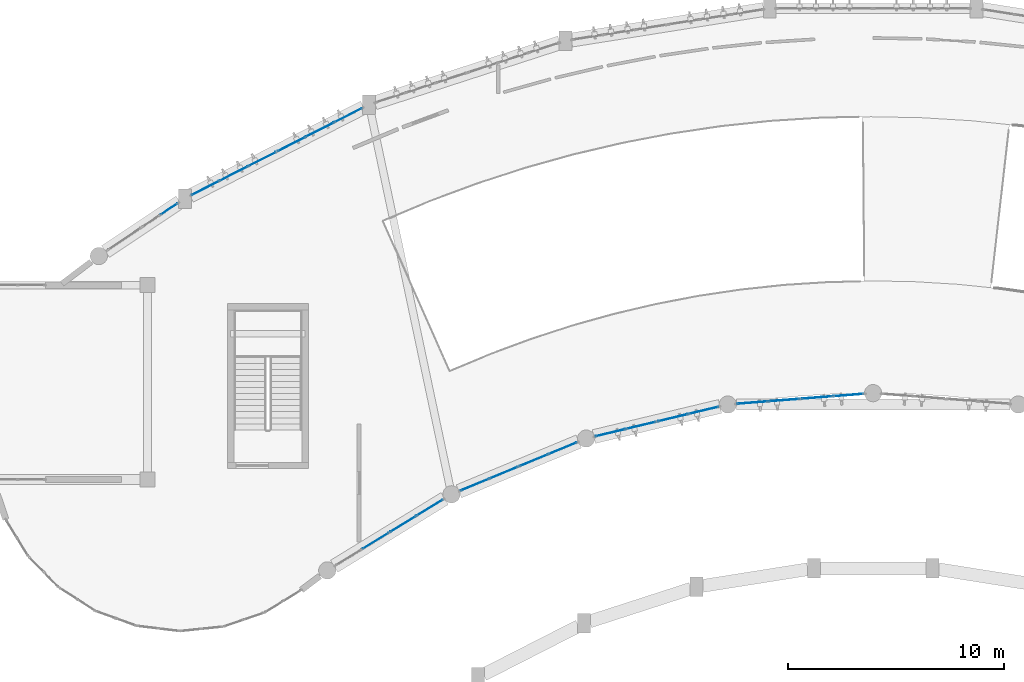
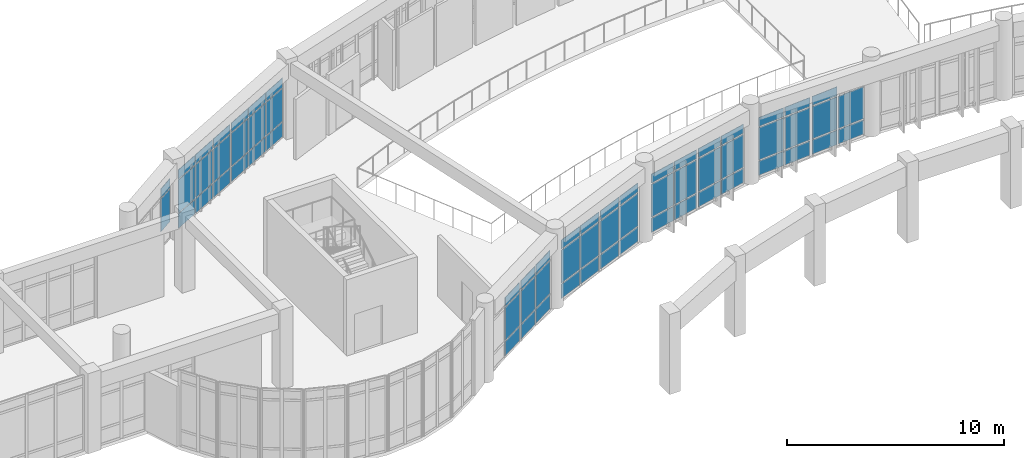
# One storey, part 34 of 57: 64 plates, 11 elements without a shape of their own.
"""IFC4 building model written with IfcOpenShell, lengths in metres."""

import ifcopenshell
import ifcopenshell.guid

model = None  # the IFC model being written
_history = None  # IfcOwnerHistory: only IFC2X3 demands one
_inside = {}  # id of a spatial element -> (the spatial element, [elements in it])
_under = {}  # id of a project, library or spatial element -> (it, [spatial elements below it])
_declared = {}  # id of a project -> (the project, [libraries it declares])
_typed = {}  # id of a type object -> (the type object, [elements of that type])
_made_of = {}  # id of a material, layer set ... -> (it, [elements and type objects made of it])


def new_model(schema):
    """Start an empty IFC model of exactly this schema.

    Asked for "IFC4X3", IfcOpenShell would pick the latest addendum, in which some entities
    have other attributes; the version numbers below select the first issue.
    IFC2X3 requires an IfcOwnerHistory on every rooted entity: one is made here for all.
    """
    global model, _history
    if schema == "IFC4X3":
        model = ifcopenshell.file(schema_version=(4, 3, 0, 0))
    else:
        model = ifcopenshell.file(schema=schema)
    _inside.clear()
    _under.clear()
    _declared.clear()
    _typed.clear()
    _made_of.clear()
    _history = None
    if model.schema == "IFC2X3":
        org = make("IfcOrganization", Name="unknown")
        user = make(
            "IfcPersonAndOrganization",
            ThePerson=make("IfcPerson", FamilyName="unknown"),
            TheOrganization=org,
        )
        app = make(
            "IfcApplication",
            ApplicationDeveloper=org,
            Version="unknown",
            ApplicationFullName="unknown",
            ApplicationIdentifier="unknown",
        )
        _history = make(
            "IfcOwnerHistory",
            OwningUser=user,
            OwningApplication=app,
            ChangeAction="ADDED",
            CreationDate=0,
        )
    return model


def make(cls, **values):
    """One entity of the class cls with the attributes given. An attribute that is None is left unset."""
    return model.create_entity(
        cls, **{name: value for name, value in values.items() if value is not None}
    )


def rooted(cls, **values):
    """An entity with a GlobalId (a new one), such as an element, a storey or a relation."""
    return make(cls, GlobalId=ifcopenshell.guid.new(), OwnerHistory=_history, **values)


def si_unit(unit_type, name, prefix=None):
    """IfcSIUnit, for example si_unit("LENGTHUNIT", "METRE", prefix="MILLI")."""
    return make("IfcSIUnit", UnitType=unit_type, Prefix=prefix, Name=name)


def assignment(units):
    """IfcUnitAssignment: the units of a project."""
    return None if units is None else make("IfcUnitAssignment", Units=units)


def point(xyz):
    """IfcCartesianPoint."""
    return None if xyz is None else make("IfcCartesianPoint", Coordinates=xyz)


def direction(xyz):
    """IfcDirection."""
    return None if xyz is None else make("IfcDirection", DirectionRatios=xyz)


def frame(location, z_axis=None, x_axis=None):
    """IfcAxis2Placement3D, a coordinate frame: its origin and axes. An axis left out is left unset."""
    return make(
        "IfcAxis2Placement3D",
        Location=point(location),
        Axis=direction(z_axis),
        RefDirection=direction(x_axis),
    )


def frame_2d(location, x_axis=None):
    """IfcAxis2Placement2D, a coordinate frame in the plane: its origin and x axis."""
    return make(
        "IfcAxis2Placement2D", Location=point(location), RefDirection=direction(x_axis)
    )


def origin():
    """The frame at (0, 0, 0) with its axes left unset."""
    return frame((0.0, 0.0, 0.0))


def origin_2d():
    """The frame at (0, 0) in the plane with its x axis left unset."""
    return frame_2d((0.0, 0.0))


def place(relative_to, where):
    """IfcLocalPlacement: puts the frame where relative to a parent placement (None: the world)."""
    return make(
        "IfcLocalPlacement", PlacementRelTo=relative_to, RelativePlacement=where
    )


def context(
    kind, dimensions, precision=None, world=None, true_north=None, identifier=None
):
    """IfcGeometricRepresentationContext, for example the 3D "Model" context."""
    return make(
        "IfcGeometricRepresentationContext",
        ContextIdentifier=identifier,
        ContextType=kind,
        CoordinateSpaceDimension=dimensions,
        Precision=precision,
        WorldCoordinateSystem=world,
        TrueNorth=true_north,
    )


def subcontext(parent, identifier, kind, view, scale=None):
    """IfcGeometricRepresentationSubContext, for example "Body" below "Model"."""
    return make(
        "IfcGeometricRepresentationSubContext",
        ContextIdentifier=identifier,
        ContextType=kind,
        ParentContext=parent,
        TargetScale=scale,
        TargetView=view,
    )


def project(units=None, contexts=None):
    """IfcProject with its units and contexts."""
    return rooted(
        "IfcProject",
        Name="project",
        RepresentationContexts=contexts,
        UnitsInContext=assignment(units),
    )


def spatial(cls, under=None, at=None, **own):
    """A site, building, storey or space (cls), placed at a placement, below another one or the project."""
    s = rooted(cls, ObjectPlacement=at, **own)
    if under is not None:
        _under.setdefault(under.id(), (under, []))[1].append(s)
    return s


def profile(cls, at=None, kind="AREA", **sizes):
    """A parametric profile (cls). Its sizes go by their IFC names, for example OverallWidth=200.0."""
    return make(cls, ProfileType=kind, Position=at, **sizes)


def rectangle(**sizes):
    """IfcRectangleProfileDef."""
    return profile("IfcRectangleProfileDef", **sizes)


def extrude(swept, where, along, depth):
    """IfcExtrudedAreaSolid: the profile swept, set in the frame where, extruded along a direction by depth."""
    return make(
        "IfcExtrudedAreaSolid",
        SweptArea=swept,
        Position=where,
        ExtrudedDirection=direction(along),
        Depth=depth,
    )


def shape(context_of_items, identifier, shape_type, items):
    """IfcShapeRepresentation: the items that make up one representation, for example the "Body"."""
    return make(
        "IfcShapeRepresentation",
        ContextOfItems=context_of_items,
        RepresentationIdentifier=identifier,
        RepresentationType=shape_type,
        Items=items,
    )


def material(Name=None, Category=None):
    """IfcMaterial."""
    return make("IfcMaterial", Name=Name, Category=Category)


def layer(
    of_material, thickness, ventilated=None, Name=None, Category=None, Priority=None
):
    """IfcMaterialLayer: one layer of a wall or slab, of a material (None: an air gap)."""
    return make(
        "IfcMaterialLayer",
        Material=of_material,
        LayerThickness=thickness,
        IsVentilated=ventilated,
        Name=Name,
        Category=Category,
        Priority=Priority,
    )


def layer_set(layers, Name=None):
    """IfcMaterialLayerSet."""
    return make("IfcMaterialLayerSet", MaterialLayers=layers, LayerSetName=Name)


def made_of(thing, what):
    """Note that an element or type object is made of a material, layer set ...; save() writes the relation."""
    if what is not None:
        _made_of.setdefault(what.id(), (what, []))[1].append(thing)
    return thing


def type_object(cls, material=None, **own):
    """A type object (cls), such as IfcWallType, which elements share."""
    return made_of(rooted(cls, **own), material)


def element(
    cls,
    number,
    at=None,
    inside=None,
    cuts=None,
    type_object=None,
    material=None,
    context=None,
    identifier="Body",
    shape_type=None,
    held_by="IfcProductDefinitionShape",
    body=None,
    shapes=None,
    **own,
):
    """One element of the class cls, such as IfcWall. Its Tag is "e" and its number.

    at: its placement. inside: the storey or other place that contains it. cuts: it is an
    opening in that element (IfcRelVoidsElement). A single representation is given by context,
    identifier, shape_type and body (its items); several are given by shapes. held_by: the class
    of the entity that holds the representations. save() writes the other relations.
    """
    e = rooted(cls, Tag="e%d" % number, ObjectPlacement=at, **own)
    if body is not None:
        shapes = [shape(context, identifier, shape_type, body)]
    if shapes is not None:
        e.Representation = make(held_by, Representations=shapes)
    if inside is not None:
        _inside.setdefault(inside.id(), (inside, []))[1].append(e)
    if cuts is not None:
        rooted(
            "IfcRelVoidsElement", RelatingBuildingElement=cuts, RelatedOpeningElement=e
        )
    if type_object is not None:
        _typed.setdefault(type_object.id(), (type_object, []))[1].append(e)
    return made_of(e, material)


def aggregate(whole, parts):
    """IfcRelAggregates: a whole, such as a stair, and the parts it consists of."""
    return rooted("IfcRelAggregates", RelatingObject=whole, RelatedObjects=parts)


def save(model, path):
    """Write the relations noted so far, then the file.

    IfcRelAggregates (storeys below a building ...), IfcRelContainedInSpatialStructure (elements
    in a storey), IfcRelDefinesByType, IfcRelAssociatesMaterial and IfcRelDeclares: one each for
    every whole, place, type object, material and project.
    """
    for whole, parts in _under.values():
        aggregate(whole, parts)
    for where, things in _inside.values():
        rooted(
            "IfcRelContainedInSpatialStructure",
            RelatedElements=things,
            RelatingStructure=where,
        )
    for kind, things in _typed.values():
        rooted("IfcRelDefinesByType", RelatedObjects=things, RelatingType=kind)
    for what, things in _made_of.values():
        rooted("IfcRelAssociatesMaterial", RelatedObjects=things, RelatingMaterial=what)
    for by, libraries in _declared.values():
        rooted("IfcRelDeclares", RelatingContext=by, RelatedDefinitions=libraries)
    model.write(path)


model = new_model("IFC4")

# Units and contexts
model_context = context("Model", 3, precision=1e-05, world=origin(), true_north=direction((0.0, 1.0)))
body_context = subcontext(model_context, "Body", "Model", "MODEL_VIEW")
ifc_project = project(units=[si_unit("LENGTHUNIT", "METRE"), si_unit("AREAUNIT", "SQUARE_METRE"), si_unit("VOLUMEUNIT", "CUBIC_METRE"), si_unit("PLANEANGLEUNIT", "RADIAN"), si_unit("MASSUNIT", "GRAM", prefix="KILO")], contexts=[model_context])

# Site, building, storey
site_placement = place(None, origin())
site = spatial("IfcSite", under=ifc_project, at=site_placement, CompositionType="ELEMENT")
building_placement = place(site_placement, origin())
building = spatial("IfcBuilding", under=site, at=building_placement, Name="Miralva Faculty of Natural Sciences", CompositionType="ELEMENT")
storey_placement = place(building_placement, frame((0.0, 0.0, 15.0)))
storey = spatial("IfcBuildingStorey", under=building, at=storey_placement, Name="L03", CompositionType="ELEMENT", Elevation=15.0)

# Curtain wall, plates
ifc_material = material(Name="Laminated solar-control glass", Category="glass")
ifc_layer_1 = layer(ifc_material, 0.179931640625, Name="CW-ARC-L03")
ifc_layer_set_1 = layer_set([ifc_layer_1], Name="Laminated solar-control glass")
curtain_wall_type = type_object("IfcCurtainWallType", Name="CW-ARC-L03", PredefinedType="USERDEFINED", material=ifc_layer_set_1)
curtain_wall_1_placement = place(storey_placement, origin())
curtain_wall_1 = element("IfcCurtainWall", 1, at=curtain_wall_1_placement, inside=storey, type_object=curtain_wall_type, Name="Curtain wall CW-03 L03-109", ObjectType="UNITISED CURTAIN WALL", PredefinedType="USERDEFINED")
ifc_layer_2 = layer(ifc_material, 0.028076171875, Name="PNL-P01")
ifc_layer_set_2 = layer_set([ifc_layer_2], Name="Laminated solar-control glass")
plate_type = type_object("IfcPlateType", Name="PNL-P01", PredefinedType="CURTAIN_PANEL", material=ifc_layer_set_2)
plate_1_placement = place(storey_placement, frame((66.95947265625, 15.15673828125, 0.06494140625), z_axis=(0.0, 0.0, 1.0), x_axis=(0.852640729642, 0.522497642249, 0.0)))
plate_1 = element("IfcPlate", 2, at=plate_1_placement, type_object=plate_type, Name="CW-03 panel 2.1", PredefinedType="CURTAIN_PANEL", context=body_context, shape_type="SweptSolid", body=[
    extrude(rectangle(XDim=1.376953125, YDim=0.028076171875, at=origin_2d()), origin(), (0.0, 0.0, 1.0), 0.802490234375),
])
plate_2_placement = place(storey_placement, frame((66.95947265625, 15.15673828125, 0.9326171875), z_axis=(0.0, 0.0, 1.0), x_axis=(0.852640729642, 0.522497642249, 0.0)))
plate_2 = element("IfcPlate", 3, at=plate_2_placement, type_object=plate_type, Name="CW-03 panel 2.2", PredefinedType="CURTAIN_PANEL", context=body_context, shape_type="SweptSolid", body=[
    extrude(rectangle(XDim=1.376953125, YDim=0.028076171875, at=origin_2d()), origin(), (0.0, 0.0, 1.0), 1.840087890625),
])
plate_3_placement = place(storey_placement, frame((66.95947265625, 15.15673828125, 2.837646484375), z_axis=(0.0, 0.0, 1.0), x_axis=(0.852640729642, 0.522497642249, 0.0)))
plate_3 = element("IfcPlate", 4, at=plate_3_placement, type_object=plate_type, Name="CW-03 panel 2.3", PredefinedType="CURTAIN_PANEL", context=body_context, shape_type="SweptSolid", body=[
    extrude(rectangle(XDim=1.376953125, YDim=0.028076171875, at=origin_2d()), origin(), (0.0, 0.0, 1.0), 0.50244140625),
])
aggregate(curtain_wall_1, [plate_1, plate_2, plate_3])

curtain_wall_2_placement = place(storey_placement, origin())
curtain_wall_2 = element("IfcCurtainWall", 5, at=curtain_wall_2_placement, inside=storey, type_object=curtain_wall_type, Name="Curtain wall CW-03 L03-110", ObjectType="UNITISED CURTAIN WALL", PredefinedType="USERDEFINED")
plate_4_placement = place(storey_placement, frame((68.240966796875, 15.942138671875, 0.06494140625), z_axis=(0.0, 0.0, 1.0), x_axis=(0.852655256018, 0.522473936561, 0.0)))
plate_4 = element("IfcPlate", 6, at=plate_4_placement, type_object=plate_type, Name="CW-03 panel 1.1", PredefinedType="CURTAIN_PANEL", context=body_context, shape_type="SweptSolid", body=[
    extrude(rectangle(XDim=1.37939453125, YDim=0.028076171875, at=origin_2d()), origin(), (0.0, 0.0, 1.0), 0.802490234375),
])
plate_5_placement = place(storey_placement, frame((68.240966796875, 15.942138671875, 0.9326171875), z_axis=(0.0, 0.0, 1.0), x_axis=(0.852655256018, 0.522473936561, 0.0)))
plate_5 = element("IfcPlate", 7, at=plate_5_placement, type_object=plate_type, Name="CW-03 panel 1.2", PredefinedType="CURTAIN_PANEL", context=body_context, shape_type="SweptSolid", body=[
    extrude(rectangle(XDim=1.37939453125, YDim=0.028076171875, at=origin_2d()), origin(), (0.0, 0.0, 1.0), 1.840087890625),
])
plate_6_placement = place(storey_placement, frame((68.240966796875, 15.942138671875, 2.837646484375), z_axis=(0.0, 0.0, 1.0), x_axis=(0.852655256018, 0.522473936561, 0.0)))
plate_6 = element("IfcPlate", 8, at=plate_6_placement, type_object=plate_type, Name="CW-03 panel 1.3", PredefinedType="CURTAIN_PANEL", context=body_context, shape_type="SweptSolid", body=[
    extrude(rectangle(XDim=1.37939453125, YDim=0.028076171875, at=origin_2d()), origin(), (0.0, 0.0, 1.0), 0.50244140625),
])
plate_7_placement = place(storey_placement, frame((69.47265625, 16.69677734375, 0.06494140625), z_axis=(0.0, 0.0, 1.0), x_axis=(0.852655256018, 0.522473936561, 0.0)))
plate_7 = element("IfcPlate", 9, at=plate_7_placement, type_object=plate_type, Name="CW-03 panel 2.1", PredefinedType="CURTAIN_PANEL", context=body_context, shape_type="SweptSolid", body=[
    extrude(rectangle(XDim=1.37939453125, YDim=0.028076171875, at=origin_2d()), origin(), (0.0, 0.0, 1.0), 0.802490234375),
])
plate_8_placement = place(storey_placement, frame((69.47265625, 16.69677734375, 0.9326171875), z_axis=(0.0, 0.0, 1.0), x_axis=(0.852655256018, 0.522473936561, 0.0)))
plate_8 = element("IfcPlate", 10, at=plate_8_placement, type_object=plate_type, Name="CW-03 panel 2.2", PredefinedType="CURTAIN_PANEL", context=body_context, shape_type="SweptSolid", body=[
    extrude(rectangle(XDim=1.37939453125, YDim=0.028076171875, at=origin_2d()), origin(), (0.0, 0.0, 1.0), 1.840087890625),
])
plate_9_placement = place(storey_placement, frame((69.47265625, 16.69677734375, 2.837646484375), z_axis=(0.0, 0.0, 1.0), x_axis=(0.852655256018, 0.522473936561, 0.0)))
plate_9 = element("IfcPlate", 11, at=plate_9_placement, type_object=plate_type, Name="CW-03 panel 2.3", PredefinedType="CURTAIN_PANEL", context=body_context, shape_type="SweptSolid", body=[
    extrude(rectangle(XDim=1.37939453125, YDim=0.028076171875, at=origin_2d()), origin(), (0.0, 0.0, 1.0), 0.50244140625),
])
aggregate(curtain_wall_2, [plate_4, plate_5, plate_6, plate_7, plate_8, plate_9])

curtain_wall_3_placement = place(storey_placement, origin())
curtain_wall_3 = element("IfcCurtainWall", 12, at=curtain_wall_3_placement, inside=storey, type_object=curtain_wall_type, Name="Curtain wall CW-03 L03-111", ObjectType="UNITISED CURTAIN WALL", PredefinedType="USERDEFINED")
plate_10_placement = place(storey_placement, frame((71.560302734375, 17.761474609375, 0.06494140625), z_axis=(0.0, 0.0, 1.0), x_axis=(0.923873889004, 0.382697056713, 0.0)))
plate_10 = element("IfcPlate", 13, at=plate_10_placement, type_object=plate_type, Name="CW-03 panel 1.1", PredefinedType="CURTAIN_PANEL", context=body_context, shape_type="SweptSolid", body=[
    extrude(rectangle(XDim=1.3818359375, YDim=0.028076171875, at=origin_2d()), origin(), (0.0, 0.0, 1.0), 0.802490234375),
])
plate_11_placement = place(storey_placement, frame((71.560302734375, 17.761474609375, 0.9326171875), z_axis=(0.0, 0.0, 1.0), x_axis=(0.923873889004, 0.382697056713, 0.0)))
plate_11 = element("IfcPlate", 14, at=plate_11_placement, type_object=plate_type, Name="CW-03 panel 1.2", PredefinedType="CURTAIN_PANEL", context=body_context, shape_type="SweptSolid", body=[
    extrude(rectangle(XDim=1.3818359375, YDim=0.028076171875, at=origin_2d()), origin(), (0.0, 0.0, 1.0), 1.840087890625),
])
plate_12_placement = place(storey_placement, frame((71.560302734375, 17.761474609375, 2.837646484375), z_axis=(0.0, 0.0, 1.0), x_axis=(0.923873889004, 0.382697056713, 0.0)))
plate_12 = element("IfcPlate", 15, at=plate_12_placement, type_object=plate_type, Name="CW-03 panel 1.3", PredefinedType="CURTAIN_PANEL", context=body_context, shape_type="SweptSolid", body=[
    extrude(rectangle(XDim=1.3818359375, YDim=0.028076171875, at=origin_2d()), origin(), (0.0, 0.0, 1.0), 0.50244140625),
])
plate_13_placement = place(storey_placement, frame((72.89697265625, 18.315185546875, 0.06494140625), z_axis=(0.0, 0.0, 1.0), x_axis=(0.923873889004, 0.382697056713, 0.0)))
plate_13 = element("IfcPlate", 16, at=plate_13_placement, type_object=plate_type, Name="CW-03 panel 2.1", PredefinedType="CURTAIN_PANEL", context=body_context, shape_type="SweptSolid", body=[
    extrude(rectangle(XDim=1.3818359375, YDim=0.028076171875, at=origin_2d()), origin(), (0.0, 0.0, 1.0), 0.802490234375),
])
plate_14_placement = place(storey_placement, frame((72.89697265625, 18.315185546875, 0.9326171875), z_axis=(0.0, 0.0, 1.0), x_axis=(0.923873889004, 0.382697056713, 0.0)))
plate_14 = element("IfcPlate", 17, at=plate_14_placement, type_object=plate_type, Name="CW-03 panel 2.2", PredefinedType="CURTAIN_PANEL", context=body_context, shape_type="SweptSolid", body=[
    extrude(rectangle(XDim=1.3818359375, YDim=0.028076171875, at=origin_2d()), origin(), (0.0, 0.0, 1.0), 1.840087890625),
])
plate_15_placement = place(storey_placement, frame((72.89697265625, 18.315185546875, 2.837646484375), z_axis=(0.0, 0.0, 1.0), x_axis=(0.923873889004, 0.382697056713, 0.0)))
plate_15 = element("IfcPlate", 18, at=plate_15_placement, type_object=plate_type, Name="CW-03 panel 2.3", PredefinedType="CURTAIN_PANEL", context=body_context, shape_type="SweptSolid", body=[
    extrude(rectangle(XDim=1.3818359375, YDim=0.028076171875, at=origin_2d()), origin(), (0.0, 0.0, 1.0), 0.50244140625),
])
aggregate(curtain_wall_3, [plate_10, plate_11, plate_12, plate_13, plate_14, plate_15])

curtain_wall_4_placement = place(storey_placement, origin())
curtain_wall_4 = element("IfcCurtainWall", 19, at=curtain_wall_4_placement, inside=storey, type_object=curtain_wall_type, Name="Curtain wall CW-03 L03-112", ObjectType="UNITISED CURTAIN WALL", PredefinedType="USERDEFINED")
plate_16_placement = place(storey_placement, frame((74.290283203125, 18.892333984375, 0.06494140625), z_axis=(0.0, 0.0, 1.0), x_axis=(0.923891410727, 0.382654754557, 0.0)))
plate_16 = element("IfcPlate", 20, at=plate_16_placement, type_object=plate_type, Name="CW-03 panel 1.1", PredefinedType="CURTAIN_PANEL", context=body_context, shape_type="SweptSolid", body=[
    extrude(rectangle(XDim=1.38427734375, YDim=0.028076171875, at=origin_2d()), origin(), (0.0, 0.0, 1.0), 0.802490234375),
])
plate_17_placement = place(storey_placement, frame((74.290283203125, 18.892333984375, 0.9326171875), z_axis=(0.0, 0.0, 1.0), x_axis=(0.923891410727, 0.382654754557, 0.0)))
plate_17 = element("IfcPlate", 21, at=plate_17_placement, type_object=plate_type, Name="CW-03 panel 1.2", PredefinedType="CURTAIN_PANEL", context=body_context, shape_type="SweptSolid", body=[
    extrude(rectangle(XDim=1.38427734375, YDim=0.028076171875, at=origin_2d()), origin(), (0.0, 0.0, 1.0), 1.840087890625),
])
plate_18_placement = place(storey_placement, frame((74.290283203125, 18.892333984375, 2.837646484375), z_axis=(0.0, 0.0, 1.0), x_axis=(0.923891410727, 0.382654754557, 0.0)))
plate_18 = element("IfcPlate", 22, at=plate_18_placement, type_object=plate_type, Name="CW-03 panel 1.3", PredefinedType="CURTAIN_PANEL", context=body_context, shape_type="SweptSolid", body=[
    extrude(rectangle(XDim=1.38427734375, YDim=0.028076171875, at=origin_2d()), origin(), (0.0, 0.0, 1.0), 0.50244140625),
])
plate_19_placement = place(storey_placement, frame((75.62939453125, 19.44677734375, 0.06494140625), z_axis=(0.0, 0.0, 1.0), x_axis=(0.923891410727, 0.382654754557, 0.0)))
plate_19 = element("IfcPlate", 23, at=plate_19_placement, type_object=plate_type, Name="CW-03 panel 2.1", PredefinedType="CURTAIN_PANEL", context=body_context, shape_type="SweptSolid", body=[
    extrude(rectangle(XDim=1.38427734375, YDim=0.028076171875, at=origin_2d()), origin(), (0.0, 0.0, 1.0), 0.802490234375),
])
plate_20_placement = place(storey_placement, frame((75.62939453125, 19.44677734375, 0.9326171875), z_axis=(0.0, 0.0, 1.0), x_axis=(0.923891410727, 0.382654754557, 0.0)))
plate_20 = element("IfcPlate", 24, at=plate_20_placement, type_object=plate_type, Name="CW-03 panel 2.2", PredefinedType="CURTAIN_PANEL", context=body_context, shape_type="SweptSolid", body=[
    extrude(rectangle(XDim=1.38427734375, YDim=0.028076171875, at=origin_2d()), origin(), (0.0, 0.0, 1.0), 1.840087890625),
])
plate_21_placement = place(storey_placement, frame((75.62939453125, 19.44677734375, 2.837646484375), z_axis=(0.0, 0.0, 1.0), x_axis=(0.923891410727, 0.382654754557, 0.0)))
plate_21 = element("IfcPlate", 25, at=plate_21_placement, type_object=plate_type, Name="CW-03 panel 2.3", PredefinedType="CURTAIN_PANEL", context=body_context, shape_type="SweptSolid", body=[
    extrude(rectangle(XDim=1.38427734375, YDim=0.028076171875, at=origin_2d()), origin(), (0.0, 0.0, 1.0), 0.50244140625),
])
aggregate(curtain_wall_4, [plate_16, plate_17, plate_18, plate_19, plate_20, plate_21])

curtain_wall_5_placement = place(storey_placement, origin())
curtain_wall_5 = element("IfcCurtainWall", 26, at=curtain_wall_5_placement, inside=storey, type_object=curtain_wall_type, Name="Curtain wall CW-03 L03-113", ObjectType="UNITISED CURTAIN WALL", PredefinedType="USERDEFINED")
plate_22_placement = place(storey_placement, frame((77.836181640625, 20.165283203125, 0.06494140625), z_axis=(0.0, 0.0, 1.0), x_axis=(0.972367185898, 0.233456753574, 0.0)))
plate_22 = element("IfcPlate", 27, at=plate_22_placement, type_object=plate_type, Name="CW-03 panel 1.1", PredefinedType="CURTAIN_PANEL", context=body_context, shape_type="SweptSolid", body=[
    extrude(rectangle(XDim=1.391845703125, YDim=0.028076171875, at=origin_2d()), origin(), (0.0, 0.0, 1.0), 0.802490234375),
])
plate_23_placement = place(storey_placement, frame((77.836181640625, 20.165283203125, 0.9326171875), z_axis=(0.0, 0.0, 1.0), x_axis=(0.972367185898, 0.233456753574, 0.0)))
plate_23 = element("IfcPlate", 28, at=plate_23_placement, type_object=plate_type, Name="CW-03 panel 1.2", PredefinedType="CURTAIN_PANEL", context=body_context, shape_type="SweptSolid", body=[
    extrude(rectangle(XDim=1.391845703125, YDim=0.028076171875, at=origin_2d()), origin(), (0.0, 0.0, 1.0), 1.840087890625),
])
plate_24_placement = place(storey_placement, frame((77.836181640625, 20.165283203125, 2.837646484375), z_axis=(0.0, 0.0, 1.0), x_axis=(0.972367185898, 0.233456753574, 0.0)))
plate_24 = element("IfcPlate", 29, at=plate_24_placement, type_object=plate_type, Name="CW-03 panel 1.3", PredefinedType="CURTAIN_PANEL", context=body_context, shape_type="SweptSolid", body=[
    extrude(rectangle(XDim=1.391845703125, YDim=0.028076171875, at=origin_2d()), origin(), (0.0, 0.0, 1.0), 0.50244140625),
])
plate_25_placement = place(storey_placement, frame((79.2529296875, 20.50537109375, 0.06494140625), z_axis=(0.0, 0.0, 1.0), x_axis=(0.972367185898, 0.233456753574, 0.0)))
plate_25 = element("IfcPlate", 30, at=plate_25_placement, type_object=plate_type, Name="CW-03 panel 2.1", PredefinedType="CURTAIN_PANEL", context=body_context, shape_type="SweptSolid", body=[
    extrude(rectangle(XDim=1.391845703125, YDim=0.028076171875, at=origin_2d()), origin(), (0.0, 0.0, 1.0), 0.802490234375),
])
plate_26_placement = place(storey_placement, frame((79.2529296875, 20.50537109375, 0.9326171875), z_axis=(0.0, 0.0, 1.0), x_axis=(0.972367185898, 0.233456753574, 0.0)))
plate_26 = element("IfcPlate", 31, at=plate_26_placement, type_object=plate_type, Name="CW-03 panel 2.2", PredefinedType="CURTAIN_PANEL", context=body_context, shape_type="SweptSolid", body=[
    extrude(rectangle(XDim=1.391845703125, YDim=0.028076171875, at=origin_2d()), origin(), (0.0, 0.0, 1.0), 1.840087890625),
])
plate_27_placement = place(storey_placement, frame((79.2529296875, 20.50537109375, 2.837646484375), z_axis=(0.0, 0.0, 1.0), x_axis=(0.972367185898, 0.233456753574, 0.0)))
plate_27 = element("IfcPlate", 32, at=plate_27_placement, type_object=plate_type, Name="CW-03 panel 2.3", PredefinedType="CURTAIN_PANEL", context=body_context, shape_type="SweptSolid", body=[
    extrude(rectangle(XDim=1.391845703125, YDim=0.028076171875, at=origin_2d()), origin(), (0.0, 0.0, 1.0), 0.50244140625),
])
aggregate(curtain_wall_5, [plate_22, plate_23, plate_24, plate_25, plate_26, plate_27])

curtain_wall_6_placement = place(storey_placement, origin())
curtain_wall_6 = element("IfcCurtainWall", 33, at=curtain_wall_6_placement, inside=storey, type_object=curtain_wall_type, Name="Curtain wall CW-03 L03-114", ObjectType="UNITISED CURTAIN WALL", PredefinedType="USERDEFINED")
plate_28_placement = place(storey_placement, frame((80.72900390625, 20.85986328125, 0.06494140625), z_axis=(0.0, 0.0, 1.0), x_axis=(0.972365393914, 0.233464217213, 0.0)))
plate_28 = element("IfcPlate", 34, at=plate_28_placement, type_object=plate_type, Name="CW-03 panel 1.1", PredefinedType="CURTAIN_PANEL", context=body_context, shape_type="SweptSolid", body=[
    extrude(rectangle(XDim=1.394287109375, YDim=0.028076171875, at=origin_2d()), origin(), (0.0, 0.0, 1.0), 0.802490234375),
])
plate_29_placement = place(storey_placement, frame((80.72900390625, 20.85986328125, 0.9326171875), z_axis=(0.0, 0.0, 1.0), x_axis=(0.972365393914, 0.233464217213, 0.0)))
plate_29 = element("IfcPlate", 35, at=plate_29_placement, type_object=plate_type, Name="CW-03 panel 1.2", PredefinedType="CURTAIN_PANEL", context=body_context, shape_type="SweptSolid", body=[
    extrude(rectangle(XDim=1.394287109375, YDim=0.028076171875, at=origin_2d()), origin(), (0.0, 0.0, 1.0), 1.840087890625),
])
plate_30_placement = place(storey_placement, frame((80.72900390625, 20.85986328125, 2.837646484375), z_axis=(0.0, 0.0, 1.0), x_axis=(0.972365393914, 0.233464217213, 0.0)))
plate_30 = element("IfcPlate", 36, at=plate_30_placement, type_object=plate_type, Name="CW-03 panel 1.3", PredefinedType="CURTAIN_PANEL", context=body_context, shape_type="SweptSolid", body=[
    extrude(rectangle(XDim=1.394287109375, YDim=0.028076171875, at=origin_2d()), origin(), (0.0, 0.0, 1.0), 0.50244140625),
])
plate_31_placement = place(storey_placement, frame((82.148193359375, 21.200439453125, 0.06494140625), z_axis=(0.0, 0.0, 1.0), x_axis=(0.972365393914, 0.233464217213, 0.0)))
plate_31 = element("IfcPlate", 37, at=plate_31_placement, type_object=plate_type, Name="CW-03 panel 2.1", PredefinedType="CURTAIN_PANEL", context=body_context, shape_type="SweptSolid", body=[
    extrude(rectangle(XDim=1.394287109375, YDim=0.028076171875, at=origin_2d()), origin(), (0.0, 0.0, 1.0), 0.802490234375),
])
plate_32_placement = place(storey_placement, frame((82.148193359375, 21.200439453125, 0.9326171875), z_axis=(0.0, 0.0, 1.0), x_axis=(0.972365393914, 0.233464217213, 0.0)))
plate_32 = element("IfcPlate", 38, at=plate_32_placement, type_object=plate_type, Name="CW-03 panel 2.2", PredefinedType="CURTAIN_PANEL", context=body_context, shape_type="SweptSolid", body=[
    extrude(rectangle(XDim=1.394287109375, YDim=0.028076171875, at=origin_2d()), origin(), (0.0, 0.0, 1.0), 1.840087890625),
])
plate_33_placement = place(storey_placement, frame((82.148193359375, 21.200439453125, 2.837646484375), z_axis=(0.0, 0.0, 1.0), x_axis=(0.972365393914, 0.233464217213, 0.0)))
plate_33 = element("IfcPlate", 39, at=plate_33_placement, type_object=plate_type, Name="CW-03 panel 2.3", PredefinedType="CURTAIN_PANEL", context=body_context, shape_type="SweptSolid", body=[
    extrude(rectangle(XDim=1.394287109375, YDim=0.028076171875, at=origin_2d()), origin(), (0.0, 0.0, 1.0), 0.50244140625),
])
aggregate(curtain_wall_6, [plate_28, plate_29, plate_30, plate_31, plate_32, plate_33])

curtain_wall_7_placement = place(storey_placement, origin())
curtain_wall_7 = element("IfcCurtainWall", 40, at=curtain_wall_7_placement, inside=storey, type_object=curtain_wall_type, Name="Curtain wall CW-03 L03-115", ObjectType="UNITISED CURTAIN WALL", PredefinedType="USERDEFINED")
plate_34_placement = place(storey_placement, frame((84.418212890625, 21.560791015625, 0.06494140625), z_axis=(0.0, 0.0, 1.0), x_axis=(0.996917323414, 0.07845922685, 0.0)))
plate_34 = element("IfcPlate", 41, at=plate_34_placement, type_object=plate_type, Name="CW-03 panel 1.1", PredefinedType="CURTAIN_PANEL", context=body_context, shape_type="SweptSolid", body=[
    extrude(rectangle(XDim=1.39697265625, YDim=0.028076171875, at=origin_2d()), origin(), (0.0, 0.0, 1.0), 0.802490234375),
])
plate_35_placement = place(storey_placement, frame((84.418212890625, 21.560791015625, 0.932373046875), z_axis=(0.0, 0.0, 1.0), x_axis=(0.996917323414, 0.07845922685, 0.0)))
plate_35 = element("IfcPlate", 42, at=plate_35_placement, type_object=plate_type, Name="CW-03 panel 1.2", PredefinedType="CURTAIN_PANEL", context=body_context, shape_type="SweptSolid", body=[
    extrude(rectangle(XDim=1.39697265625, YDim=0.028076171875, at=origin_2d()), origin(), (0.0, 0.0, 1.0), 1.81005859375),
])
plate_36_placement = place(storey_placement, frame((84.418212890625, 21.560791015625, 2.8076171875), z_axis=(0.0, 0.0, 1.0), x_axis=(0.996917323414, 0.07845922685, 0.0)))
plate_36 = element("IfcPlate", 43, at=plate_36_placement, type_object=plate_type, Name="CW-03 panel 1.3", PredefinedType="CURTAIN_PANEL", context=body_context, shape_type="SweptSolid", body=[
    extrude(rectangle(XDim=1.39697265625, YDim=0.028076171875, at=origin_2d()), origin(), (0.0, 0.0, 1.0), 0.50244140625),
])
plate_37_placement = place(storey_placement, frame((85.87548828125, 21.67529296875, 0.06494140625), z_axis=(0.0, 0.0, 1.0), x_axis=(0.996917323414, 0.07845922685, 0.0)))
plate_37 = element("IfcPlate", 44, at=plate_37_placement, type_object=plate_type, Name="CW-03 panel 2.1", PredefinedType="CURTAIN_PANEL", context=body_context, shape_type="SweptSolid", body=[
    extrude(rectangle(XDim=1.39697265625, YDim=0.028076171875, at=origin_2d()), origin(), (0.0, 0.0, 1.0), 0.802490234375),
])
plate_38_placement = place(storey_placement, frame((85.87548828125, 21.67529296875, 0.932373046875), z_axis=(0.0, 0.0, 1.0), x_axis=(0.996917323414, 0.07845922685, 0.0)))
plate_38 = element("IfcPlate", 45, at=plate_38_placement, type_object=plate_type, Name="CW-03 panel 2.2", PredefinedType="CURTAIN_PANEL", context=body_context, shape_type="SweptSolid", body=[
    extrude(rectangle(XDim=1.39697265625, YDim=0.028076171875, at=origin_2d()), origin(), (0.0, 0.0, 1.0), 1.81005859375),
])
plate_39_placement = place(storey_placement, frame((85.87548828125, 21.67529296875, 2.8076171875), z_axis=(0.0, 0.0, 1.0), x_axis=(0.996917323414, 0.07845922685, 0.0)))
plate_39 = element("IfcPlate", 46, at=plate_39_placement, type_object=plate_type, Name="CW-03 panel 2.3", PredefinedType="CURTAIN_PANEL", context=body_context, shape_type="SweptSolid", body=[
    extrude(rectangle(XDim=1.39697265625, YDim=0.028076171875, at=origin_2d()), origin(), (0.0, 0.0, 1.0), 0.50244140625),
])
aggregate(curtain_wall_7, [plate_34, plate_35, plate_36, plate_37, plate_38, plate_39])

curtain_wall_8_placement = place(storey_placement, origin())
curtain_wall_8 = element("IfcCurtainWall", 47, at=curtain_wall_8_placement, inside=storey, type_object=curtain_wall_type, Name="Curtain wall CW-03 L03-116", ObjectType="UNITISED CURTAIN WALL", PredefinedType="USERDEFINED")
plate_40_placement = place(storey_placement, frame((87.39404296875, 21.794921875, 0.06494140625), z_axis=(0.0, 0.0, 1.0), x_axis=(0.996916948192, 0.078463994344, 0.0)))
plate_40 = element("IfcPlate", 48, at=plate_40_placement, type_object=plate_type, Name="CW-03 panel 1.1", PredefinedType="CURTAIN_PANEL", context=body_context, shape_type="SweptSolid", body=[
    extrude(rectangle(XDim=1.3994140625, YDim=0.028076171875, at=origin_2d()), origin(), (0.0, 0.0, 1.0), 0.802490234375),
])
plate_41_placement = place(storey_placement, frame((87.39404296875, 21.794921875, 0.932373046875), z_axis=(0.0, 0.0, 1.0), x_axis=(0.996916948192, 0.078463994344, 0.0)))
plate_41 = element("IfcPlate", 49, at=plate_41_placement, type_object=plate_type, Name="CW-03 panel 1.2", PredefinedType="CURTAIN_PANEL", context=body_context, shape_type="SweptSolid", body=[
    extrude(rectangle(XDim=1.3994140625, YDim=0.028076171875, at=origin_2d()), origin(), (0.0, 0.0, 1.0), 1.81005859375),
])
plate_42_placement = place(storey_placement, frame((87.39404296875, 21.794921875, 2.8076171875), z_axis=(0.0, 0.0, 1.0), x_axis=(0.996916948192, 0.078463994344, 0.0)))
plate_42 = element("IfcPlate", 50, at=plate_42_placement, type_object=plate_type, Name="CW-03 panel 1.3", PredefinedType="CURTAIN_PANEL", context=body_context, shape_type="SweptSolid", body=[
    extrude(rectangle(XDim=1.3994140625, YDim=0.028076171875, at=origin_2d()), origin(), (0.0, 0.0, 1.0), 0.50244140625),
])
plate_43_placement = place(storey_placement, frame((88.853759765625, 21.909912109375, 0.06494140625), z_axis=(0.0, 0.0, 1.0), x_axis=(0.996916948192, 0.078463994344, 0.0)))
plate_43 = element("IfcPlate", 51, at=plate_43_placement, type_object=plate_type, Name="CW-03 panel 2.1", PredefinedType="CURTAIN_PANEL", context=body_context, shape_type="SweptSolid", body=[
    extrude(rectangle(XDim=1.3994140625, YDim=0.028076171875, at=origin_2d()), origin(), (0.0, 0.0, 1.0), 0.802490234375),
])
plate_44_placement = place(storey_placement, frame((88.853759765625, 21.909912109375, 0.932373046875), z_axis=(0.0, 0.0, 1.0), x_axis=(0.996916948192, 0.078463994344, 0.0)))
plate_44 = element("IfcPlate", 52, at=plate_44_placement, type_object=plate_type, Name="CW-03 panel 2.2", PredefinedType="CURTAIN_PANEL", context=body_context, shape_type="SweptSolid", body=[
    extrude(rectangle(XDim=1.3994140625, YDim=0.028076171875, at=origin_2d()), origin(), (0.0, 0.0, 1.0), 1.81005859375),
])
aggregate(curtain_wall_8, [plate_40, plate_41, plate_42, plate_43, plate_44])

curtain_wall_9_placement = place(storey_placement, origin())
curtain_wall_9 = element("IfcCurtainWall", 53, at=curtain_wall_9_placement, inside=storey, type_object=curtain_wall_type, Name="Curtain wall CW-03 L03-126", ObjectType="UNITISED CURTAIN WALL", PredefinedType="USERDEFINED")
plate_45_placement = place(storey_placement, frame((57.400146484375, 30.52490234375, 0.93017578125), z_axis=(0.0, 0.0, 1.0), x_axis=(0.831458377074, 0.55558704736, 0.0)))
plate_45 = element("IfcPlate", 54, at=plate_45_placement, type_object=plate_type, Name="CW-03 panel 2.2", PredefinedType="CURTAIN_PANEL", context=body_context, shape_type="SweptSolid", body=[
    extrude(rectangle(XDim=0.929931640625, YDim=0.028076171875, at=origin_2d()), origin(), (0.0, 0.0, 1.0), 1.844970703125),
])
plate_46_placement = place(storey_placement, frame((57.400146484375, 30.52490234375, 2.8349609375), z_axis=(0.0, 0.0, 1.0), x_axis=(0.831458377074, 0.55558704736, 0.0)))
plate_46 = element("IfcPlate", 55, at=plate_46_placement, type_object=plate_type, Name="CW-03 panel 2.3", PredefinedType="CURTAIN_PANEL", context=body_context, shape_type="SweptSolid", body=[
    extrude(rectangle(XDim=0.929931640625, YDim=0.028076171875, at=origin_2d()), origin(), (0.0, 0.0, 1.0), 0.510009765625),
])
aggregate(curtain_wall_9, [plate_45, plate_46])

curtain_wall_10_placement = place(storey_placement, origin())
curtain_wall_10 = element("IfcCurtainWall", 56, at=curtain_wall_10_placement, inside=storey, type_object=curtain_wall_type, Name="Curtain wall CW-03 L03-127", ObjectType="UNITISED CURTAIN WALL", PredefinedType="USERDEFINED")
plate_47_placement = place(storey_placement, frame((59.086669921875, 31.499755859375, 0.06005859375), z_axis=(0.0, 0.0, 1.0), x_axis=(0.89100160052, 0.454000162854, 0.0)))
plate_47 = element("IfcPlate", 57, at=plate_47_placement, type_object=plate_type, Name="CW-03 panel 1.1", PredefinedType="CURTAIN_PANEL", context=body_context, shape_type="SweptSolid", body=[
    extrude(rectangle(XDim=1.392822265625, YDim=0.028076171875, at=origin_2d()), origin(), (0.0, 0.0, 1.0), 0.81005859375),
])
plate_48_placement = place(storey_placement, frame((59.086669921875, 31.499755859375, 0.93017578125), z_axis=(0.0, 0.0, 1.0), x_axis=(0.89100160052, 0.454000162854, 0.0)))
plate_48 = element("IfcPlate", 58, at=plate_48_placement, type_object=plate_type, Name="CW-03 panel 1.2", PredefinedType="CURTAIN_PANEL", context=body_context, shape_type="SweptSolid", body=[
    extrude(rectangle(XDim=1.392822265625, YDim=0.028076171875, at=origin_2d()), origin(), (0.0, 0.0, 1.0), 1.844970703125),
])
plate_49_placement = place(storey_placement, frame((59.086669921875, 31.499755859375, 2.8349609375), z_axis=(0.0, 0.0, 1.0), x_axis=(0.89100160052, 0.454000162854, 0.0)))
plate_49 = element("IfcPlate", 59, at=plate_49_placement, type_object=plate_type, Name="CW-03 panel 1.3", PredefinedType="CURTAIN_PANEL", context=body_context, shape_type="SweptSolid", body=[
    extrude(rectangle(XDim=1.392822265625, YDim=0.028076171875, at=origin_2d()), origin(), (0.0, 0.0, 1.0), 0.510009765625),
])
plate_50_placement = place(storey_placement, frame((60.400146484375, 32.1689453125, 0.06005859375), z_axis=(0.0, 0.0, 1.0), x_axis=(0.89100160052, 0.454000162854, 0.0)))
plate_50 = element("IfcPlate", 60, at=plate_50_placement, type_object=plate_type, Name="CW-03 panel 2.1", PredefinedType="CURTAIN_PANEL", context=body_context, shape_type="SweptSolid", body=[
    extrude(rectangle(XDim=1.42529296875, YDim=0.028076171875, at=origin_2d()), origin(), (0.0, 0.0, 1.0), 0.81005859375),
])
plate_51_placement = place(storey_placement, frame((60.400146484375, 32.1689453125, 0.93017578125), z_axis=(0.0, 0.0, 1.0), x_axis=(0.89100160052, 0.454000162854, 0.0)))
plate_51 = element("IfcPlate", 61, at=plate_51_placement, type_object=plate_type, Name="CW-03 panel 2.2", PredefinedType="CURTAIN_PANEL", context=body_context, shape_type="SweptSolid", body=[
    extrude(rectangle(XDim=1.42529296875, YDim=0.028076171875, at=origin_2d()), origin(), (0.0, 0.0, 1.0), 1.844970703125),
])
plate_52_placement = place(storey_placement, frame((60.400146484375, 32.1689453125, 2.8349609375), z_axis=(0.0, 0.0, 1.0), x_axis=(0.89100160052, 0.454000162854, 0.0)))
plate_52 = element("IfcPlate", 62, at=plate_52_placement, type_object=plate_type, Name="CW-03 panel 2.3", PredefinedType="CURTAIN_PANEL", context=body_context, shape_type="SweptSolid", body=[
    extrude(rectangle(XDim=1.42529296875, YDim=0.028076171875, at=origin_2d()), origin(), (0.0, 0.0, 1.0), 0.510009765625),
])
plate_53_placement = place(storey_placement, frame((61.71337890625, 32.838134765625, 0.06005859375), z_axis=(0.0, 0.0, 1.0), x_axis=(0.89100160052, 0.454000162854, 0.0)))
plate_53 = element("IfcPlate", 63, at=plate_53_placement, type_object=plate_type, Name="CW-03 panel 3.1", PredefinedType="CURTAIN_PANEL", context=body_context, shape_type="SweptSolid", body=[
    extrude(rectangle(XDim=1.392822265625, YDim=0.028076171875, at=origin_2d()), origin(), (0.0, 0.0, 1.0), 0.81005859375),
])
plate_54_placement = place(storey_placement, frame((61.71337890625, 32.838134765625, 0.93017578125), z_axis=(0.0, 0.0, 1.0), x_axis=(0.89100160052, 0.454000162854, 0.0)))
plate_54 = element("IfcPlate", 64, at=plate_54_placement, type_object=plate_type, Name="CW-03 panel 3.2", PredefinedType="CURTAIN_PANEL", context=body_context, shape_type="SweptSolid", body=[
    extrude(rectangle(XDim=1.392822265625, YDim=0.028076171875, at=origin_2d()), origin(), (0.0, 0.0, 1.0), 1.844970703125),
])
plate_55_placement = place(storey_placement, frame((61.71337890625, 32.838134765625, 2.8349609375), z_axis=(0.0, 0.0, 1.0), x_axis=(0.89100160052, 0.454000162854, 0.0)))
plate_55 = element("IfcPlate", 65, at=plate_55_placement, type_object=plate_type, Name="CW-03 panel 3.3", PredefinedType="CURTAIN_PANEL", context=body_context, shape_type="SweptSolid", body=[
    extrude(rectangle(XDim=1.392822265625, YDim=0.028076171875, at=origin_2d()), origin(), (0.0, 0.0, 1.0), 0.510009765625),
])
aggregate(curtain_wall_10, [plate_47, plate_48, plate_49, plate_50, plate_51, plate_52, plate_53, plate_54, plate_55])

curtain_wall_11_placement = place(storey_placement, origin())
curtain_wall_11 = element("IfcCurtainWall", 66, at=curtain_wall_11_placement, inside=storey, type_object=curtain_wall_type, Name="Curtain wall CW-03 L03-128", ObjectType="UNITISED CURTAIN WALL", PredefinedType="USERDEFINED")
plate_56_placement = place(storey_placement, frame((63.066650390625, 33.527587890625, 0.06005859375), z_axis=(0.0, 0.0, 1.0), x_axis=(0.891014603122, 0.453974643591, 0.0)))
plate_56 = element("IfcPlate", 67, at=plate_56_placement, type_object=plate_type, Name="CW-03 panel 1.1", PredefinedType="CURTAIN_PANEL", context=body_context, shape_type="SweptSolid", body=[
    extrude(rectangle(XDim=1.39453125, YDim=0.028076171875, at=origin_2d()), origin(), (0.0, 0.0, 1.0), 0.81005859375),
])
plate_57_placement = place(storey_placement, frame((63.066650390625, 33.527587890625, 0.93017578125), z_axis=(0.0, 0.0, 1.0), x_axis=(0.891014603122, 0.453974643591, 0.0)))
plate_57 = element("IfcPlate", 68, at=plate_57_placement, type_object=plate_type, Name="CW-03 panel 1.2", PredefinedType="CURTAIN_PANEL", context=body_context, shape_type="SweptSolid", body=[
    extrude(rectangle(XDim=1.39453125, YDim=0.028076171875, at=origin_2d()), origin(), (0.0, 0.0, 1.0), 1.844970703125),
])
plate_58_placement = place(storey_placement, frame((63.066650390625, 33.527587890625, 2.8349609375), z_axis=(0.0, 0.0, 1.0), x_axis=(0.891014603122, 0.453974643591, 0.0)))
plate_58 = element("IfcPlate", 69, at=plate_58_placement, type_object=plate_type, Name="CW-03 panel 1.3", PredefinedType="CURTAIN_PANEL", context=body_context, shape_type="SweptSolid", body=[
    extrude(rectangle(XDim=1.39453125, YDim=0.028076171875, at=origin_2d()), origin(), (0.0, 0.0, 1.0), 0.510009765625),
])
plate_59_placement = place(storey_placement, frame((64.381591796875, 34.197509765625, 0.06005859375), z_axis=(0.0, 0.0, 1.0), x_axis=(0.891014603122, 0.453974643591, 0.0)))
plate_59 = element("IfcPlate", 70, at=plate_59_placement, type_object=plate_type, Name="CW-03 panel 2.1", PredefinedType="CURTAIN_PANEL", context=body_context, shape_type="SweptSolid", body=[
    extrude(rectangle(XDim=1.427001953125, YDim=0.028076171875, at=origin_2d()), origin(), (0.0, 0.0, 1.0), 0.81005859375),
])
plate_60_placement = place(storey_placement, frame((64.381591796875, 34.197509765625, 0.93017578125), z_axis=(0.0, 0.0, 1.0), x_axis=(0.891014603122, 0.453974643591, 0.0)))
plate_60 = element("IfcPlate", 71, at=plate_60_placement, type_object=plate_type, Name="CW-03 panel 2.2", PredefinedType="CURTAIN_PANEL", context=body_context, shape_type="SweptSolid", body=[
    extrude(rectangle(XDim=1.427001953125, YDim=0.028076171875, at=origin_2d()), origin(), (0.0, 0.0, 1.0), 1.844970703125),
])
plate_61_placement = place(storey_placement, frame((64.381591796875, 34.197509765625, 2.8349609375), z_axis=(0.0, 0.0, 1.0), x_axis=(0.891014603122, 0.453974643591, 0.0)))
plate_61 = element("IfcPlate", 72, at=plate_61_placement, type_object=plate_type, Name="CW-03 panel 2.3", PredefinedType="CURTAIN_PANEL", context=body_context, shape_type="SweptSolid", body=[
    extrude(rectangle(XDim=1.427001953125, YDim=0.028076171875, at=origin_2d()), origin(), (0.0, 0.0, 1.0), 0.510009765625),
])
plate_62_placement = place(storey_placement, frame((65.696533203125, 34.86767578125, 0.06005859375), z_axis=(0.0, 0.0, 1.0), x_axis=(0.891014603122, 0.453974643591, 0.0)))
plate_62 = element("IfcPlate", 73, at=plate_62_placement, type_object=plate_type, Name="CW-03 panel 3.1", PredefinedType="CURTAIN_PANEL", context=body_context, shape_type="SweptSolid", body=[
    extrude(rectangle(XDim=1.39453125, YDim=0.028076171875, at=origin_2d()), origin(), (0.0, 0.0, 1.0), 0.81005859375),
])
plate_63_placement = place(storey_placement, frame((65.696533203125, 34.86767578125, 0.93017578125), z_axis=(0.0, 0.0, 1.0), x_axis=(0.891014603122, 0.453974643591, 0.0)))
plate_63 = element("IfcPlate", 74, at=plate_63_placement, type_object=plate_type, Name="CW-03 panel 3.2", PredefinedType="CURTAIN_PANEL", context=body_context, shape_type="SweptSolid", body=[
    extrude(rectangle(XDim=1.39453125, YDim=0.028076171875, at=origin_2d()), origin(), (0.0, 0.0, 1.0), 1.844970703125),
])
plate_64_placement = place(storey_placement, frame((65.696533203125, 34.86767578125, 2.8349609375), z_axis=(0.0, 0.0, 1.0), x_axis=(0.891014603122, 0.453974643591, 0.0)))
plate_64 = element("IfcPlate", 75, at=plate_64_placement, type_object=plate_type, Name="CW-03 panel 3.3", PredefinedType="CURTAIN_PANEL", context=body_context, shape_type="SweptSolid", body=[
    extrude(rectangle(XDim=1.39453125, YDim=0.028076171875, at=origin_2d()), origin(), (0.0, 0.0, 1.0), 0.510009765625),
])
aggregate(curtain_wall_11, [plate_56, plate_57, plate_58, plate_59, plate_60, plate_61, plate_62, plate_63, plate_64])

save(model, "model.ifc")
